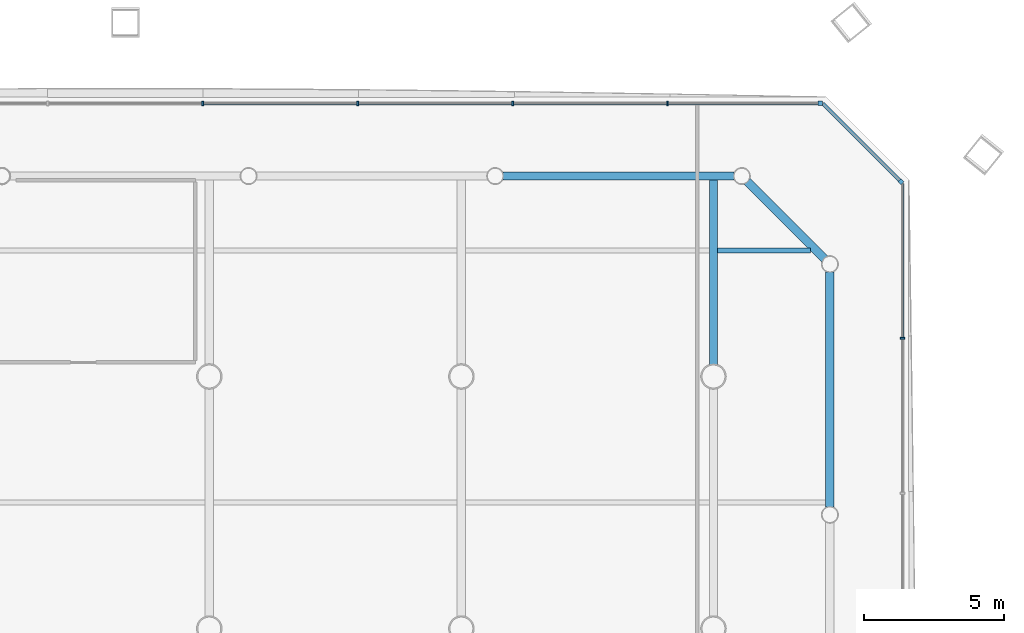
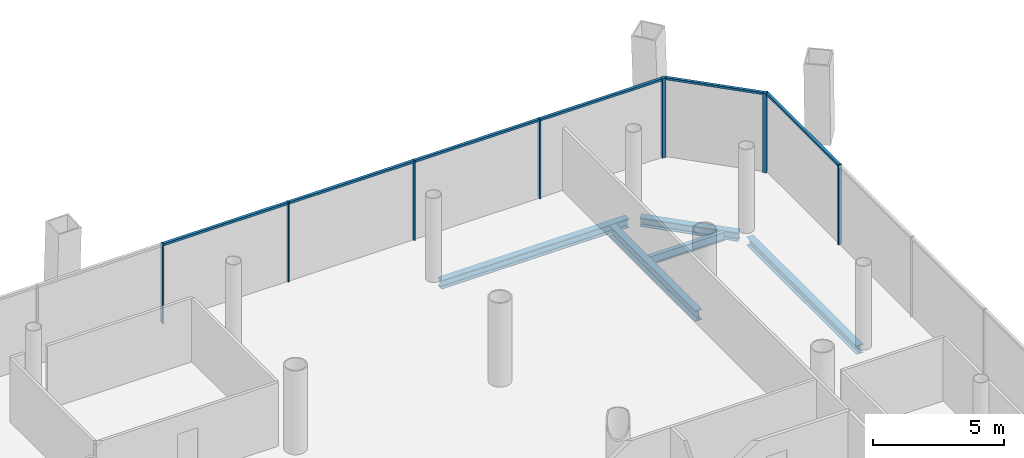
# One storey, part 13 of 23: 13 members, 5 beams, 3 elements without a shape of their own.
"""IFC4 building model written with IfcOpenShell, lengths in metres."""

from ifc_helpers import new_model, si_unit, direction, frame, origin, origin_2d, place, context, subcontext, project, spatial, rectangle, i_section, extrude, material, material_profile, profile_set, type_object, element, aggregate, save


model = new_model("IFC4")

# Units and contexts
model_context = context("Model", 3, precision=1e-05, world=origin(), true_north=direction((0.0, 1.0)))
body_context = subcontext(model_context, "Body", "Model", "MODEL_VIEW")
ifc_project = project(units=[si_unit("LENGTHUNIT", "METRE"), si_unit("AREAUNIT", "SQUARE_METRE"), si_unit("VOLUMEUNIT", "CUBIC_METRE"), si_unit("PLANEANGLEUNIT", "RADIAN"), si_unit("MASSUNIT", "GRAM", prefix="KILO")], contexts=[model_context])

# Site, building, storey
site_placement = place(None, origin())
site = spatial("IfcSite", under=ifc_project, at=site_placement, CompositionType="ELEMENT")
building_placement = place(site_placement, origin())
building = spatial("IfcBuilding", under=site, at=building_placement, Name="Tskaro Facet Tower", CompositionType="ELEMENT")
storey_placement = place(building_placement, frame((0.0, 0.0, 14.699951171875)))
storey = spatial("IfcBuildingStorey", under=building, at=storey_placement, Name="L02", CompositionType="ELEMENT", Elevation=14.699951171875)

# Curtain wall, member
ifc_material_1 = material(Name="Bronze anodised aluminium 6063-T6", Category="aluminium")
curtain_wall_type = type_object("IfcCurtainWallType", Name="Bronze office curtain wall (FW1)", PredefinedType="NOTDEFINED", material=ifc_material_1)
curtain_wall_1_placement = place(storey_placement, origin())
curtain_wall_1 = element("IfcCurtainWall", 1, at=curtain_wall_1_placement, inside=storey, type_object=curtain_wall_type, Name="FW1 north-east facet L02", PredefinedType="NOTDEFINED")
ifc_material_profile_1 = material_profile(ifc_material_1, rectangle(XDim=0.159912109375, YDim=0.159912109375, at=origin_2d()), Name="Corner post 160x160")
ifc_profile_set_1 = profile_set([ifc_material_profile_1], Name="Bronze anodised aluminium 6063-T6")
member_type_1 = type_object("IfcMemberType", Name="FW1 bronze corner post 160x160", PredefinedType="MULLION", material=ifc_profile_set_1)
member_1_placement = place(storey_placement, frame((24.693359375, 24.95263671875, 0.0), z_axis=(0.0, 0.0, 1.0), x_axis=(-0.707106781187, 0.707106781187, 0.0)))
member_1 = element("IfcMember", 2, at=member_1_placement, type_object=member_type_1, Name="FW1 north-east corner post", PredefinedType="MULLION", context=body_context, shape_type="SweptSolid", body=[
    extrude(rectangle(XDim=0.159912109375, YDim=0.159912109375, at=origin_2d()), origin(), (0.0, 0.0, 1.0), 3.699951171875),
])

curtain_wall_2_placement = place(storey_placement, origin())
curtain_wall_2 = element("IfcCurtainWall", 3, at=curtain_wall_2_placement, inside=storey, type_object=curtain_wall_type, Name="FW1 north facet L02", PredefinedType="NOTDEFINED")
member_2_placement = place(storey_placement, frame((21.81591796875, 27.75, 0.0), z_axis=(0.0, 0.0, 1.0), x_axis=(-1.0, 0.0, 0.0)))
member_2 = element("IfcMember", 4, at=member_2_placement, type_object=member_type_1, Name="FW1 north corner post", PredefinedType="MULLION", context=body_context, shape_type="SweptSolid", body=[
    extrude(rectangle(XDim=0.159912109375, YDim=0.159912109375, at=origin_2d()), origin(), (0.0, 0.0, 1.0), 3.699951171875),
])

curtain_wall_3_placement = place(storey_placement, origin())
curtain_wall_3 = element("IfcCurtainWall", 5, at=curtain_wall_3_placement, inside=storey, type_object=curtain_wall_type, Name="FW1 east facet L02", PredefinedType="NOTDEFINED")
ifc_material_profile_2 = material_profile(ifc_material_1, rectangle(XDim=0.06005859375, YDim=0.159912109375, at=origin_2d()), Name="Mullion 60x160")
ifc_profile_set_2 = profile_set([ifc_material_profile_2], Name="Bronze anodised aluminium 6063-T6")
member_type_2 = type_object("IfcMemberType", Name="FW1 bronze mullion 60x160", PredefinedType="MULLION", material=ifc_profile_set_2)
member_3_placement = place(storey_placement, frame((24.75, 19.363525390625, 0.0), z_axis=(0.0, 0.0, 1.0), x_axis=(0.0, 1.0, 0.0)))
member_3 = element("IfcMember", 6, at=member_3_placement, type_object=member_type_2, Name="FW1 east mullion 8", PredefinedType="MULLION", context=body_context, shape_type="SweptSolid", body=[
    extrude(rectangle(XDim=0.06005859375, YDim=0.159912109375, at=origin_2d()), origin(), (0.0, 0.0, 1.0), 3.699951171875),
])

# Member
member_4_placement = place(storey_placement, frame((16.363525390625, 27.75, 0.0), z_axis=(0.0, 0.0, 1.0), x_axis=(-1.0, 0.0, 0.0)))
member_4 = element("IfcMember", 7, at=member_4_placement, type_object=member_type_2, Name="FW1 north mullion 1", PredefinedType="MULLION", context=body_context, shape_type="SweptSolid", body=[
    extrude(rectangle(XDim=0.06005859375, YDim=0.159912109375, at=origin_2d()), origin(), (0.0, 0.0, 1.0), 3.699951171875),
])

member_5_placement = place(storey_placement, frame((10.8310546875, 27.75, 0.0), z_axis=(0.0, 0.0, 1.0), x_axis=(-1.0, 0.0, 0.0)))
member_5 = element("IfcMember", 8, at=member_5_placement, type_object=member_type_2, Name="FW1 north mullion 2", PredefinedType="MULLION", context=body_context, shape_type="SweptSolid", body=[
    extrude(rectangle(XDim=0.06005859375, YDim=0.159912109375, at=origin_2d()), origin(), (0.0, 0.0, 1.0), 3.699951171875),
])

member_6_placement = place(storey_placement, frame((5.298583984375, 27.75, 0.0), z_axis=(0.0, 0.0, 1.0), x_axis=(-1.0, 0.0, 0.0)))
member_6 = element("IfcMember", 9, at=member_6_placement, type_object=member_type_2, Name="FW1 north mullion 3", PredefinedType="MULLION", context=body_context, shape_type="SweptSolid", body=[
    extrude(rectangle(XDim=0.06005859375, YDim=0.159912109375, at=origin_2d()), origin(), (0.0, 0.0, 1.0), 3.699951171875),
])

member_7_placement = place(storey_placement, frame((-0.23388671875, 27.75, 0.0), z_axis=(0.0, 0.0, 1.0), x_axis=(-1.0, 0.0, 0.0)))
member_7 = element("IfcMember", 10, at=member_7_placement, type_object=member_type_2, Name="FW1 north mullion 4", PredefinedType="MULLION", context=body_context, shape_type="SweptSolid", body=[
    extrude(rectangle(XDim=0.06005859375, YDim=0.159912109375, at=origin_2d()), origin(), (0.0, 0.0, 1.0), 3.699951171875),
])

ifc_material_profile_3 = material_profile(ifc_material_1, rectangle(XDim=0.1201171875, YDim=0.10009765625, at=origin_2d()), Name="Transom 120x100")
ifc_profile_set_3 = profile_set([ifc_material_profile_3], Name="Bronze anodised aluminium 6063-T6")
member_type_3 = type_object("IfcMemberType", Name="FW1 bronze transom 120x100", PredefinedType="USERDEFINED", material=ifc_profile_set_3)
member_8_placement = place(storey_placement, frame((24.75, 19.3935546875, 3.650146484375), z_axis=(0.0, 1.0, 0.0), x_axis=(-1.0, 0.0, 0.0)))
member_8 = element("IfcMember", 11, at=member_8_placement, type_object=member_type_3, Name="FW1 east transom 9.1", ObjectType="TRANSOM", PredefinedType="USERDEFINED", context=body_context, shape_type="SweptSolid", body=[
    extrude(rectangle(XDim=0.1201171875, YDim=0.10009765625, at=origin_2d()), origin(), (0.0, 0.0, 1.0), 5.50244140625),
])

aggregate(curtain_wall_3, [member_3, member_8])

member_9_placement = place(storey_placement, frame((24.636962890625, 25.009033203125, 3.650146484375), z_axis=(-0.707106781187, 0.707106781187, 0.0), x_axis=(-0.707106781187, -0.707106781187, 0.0)))
member_9 = element("IfcMember", 12, at=member_9_placement, type_object=member_type_3, Name="FW1 north-east transom 1.1", ObjectType="TRANSOM", PredefinedType="USERDEFINED", context=body_context, shape_type="SweptSolid", body=[
    extrude(rectangle(XDim=0.1201171875, YDim=0.10009765625, at=origin_2d()), origin(), (0.0, 0.0, 1.0), 3.876220703125),
])

aggregate(curtain_wall_1, [member_1, member_9])

member_10_placement = place(storey_placement, frame((21.736083984375, 27.75, 3.650146484375), z_axis=(-1.0, 0.0, 0.0), x_axis=(0.0, -1.0, 0.0)))
member_10 = element("IfcMember", 13, at=member_10_placement, type_object=member_type_3, Name="FW1 north transom 1.1", ObjectType="TRANSOM", PredefinedType="USERDEFINED", context=body_context, shape_type="SweptSolid", body=[
    extrude(rectangle(XDim=0.1201171875, YDim=0.10009765625, at=origin_2d()), origin(), (0.0, 0.0, 1.0), 5.342529296875),
])

member_11_placement = place(storey_placement, frame((16.33349609375, 27.75, 3.650146484375), z_axis=(-1.0, 0.0, 0.0), x_axis=(0.0, -1.0, 0.0)))
member_11 = element("IfcMember", 14, at=member_11_placement, type_object=member_type_3, Name="FW1 north transom 2.1", ObjectType="TRANSOM", PredefinedType="USERDEFINED", context=body_context, shape_type="SweptSolid", body=[
    extrude(rectangle(XDim=0.1201171875, YDim=0.10009765625, at=origin_2d()), origin(), (0.0, 0.0, 1.0), 5.472412109375),
])

member_12_placement = place(storey_placement, frame((10.801025390625, 27.75, 3.650146484375), z_axis=(-1.0, 0.0, 0.0), x_axis=(0.0, -1.0, 0.0)))
member_12 = element("IfcMember", 15, at=member_12_placement, type_object=member_type_3, Name="FW1 north transom 3.1", ObjectType="TRANSOM", PredefinedType="USERDEFINED", context=body_context, shape_type="SweptSolid", body=[
    extrude(rectangle(XDim=0.1201171875, YDim=0.10009765625, at=origin_2d()), origin(), (0.0, 0.0, 1.0), 5.472412109375),
])

member_13_placement = place(storey_placement, frame((5.2685546875, 27.75, 3.650146484375), z_axis=(-1.0, 0.0, 0.0), x_axis=(0.0, -1.0, 0.0)))
member_13 = element("IfcMember", 16, at=member_13_placement, type_object=member_type_3, Name="FW1 north transom 4.1", ObjectType="TRANSOM", PredefinedType="USERDEFINED", context=body_context, shape_type="SweptSolid", body=[
    extrude(rectangle(XDim=0.1201171875, YDim=0.10009765625, at=origin_2d()), origin(), (0.0, 0.0, 1.0), 5.472412109375),
])

aggregate(curtain_wall_2, [member_2, member_4, member_5, member_6, member_7, member_10, member_11, member_12, member_13])

# Beams
ifc_material_2 = material(Name="Steel S355J2", Category="steel")
ifc_material_profile_4 = material_profile(ifc_material_2, i_section(OverallWidth=0.300048828125, OverallDepth=0.39990234375, WebThickness=0.013427734375, FlangeThickness=0.02392578125, FilletRadius=0.027099609375, at=origin_2d()), Name="HE 400 B")
ifc_profile_set_4 = profile_set([ifc_material_profile_4], Name="Steel S355J2")
beam_type_1 = type_object("IfcBeamType", Name="HE 400 B ring beam", PredefinedType="BEAM", material=ifc_profile_set_4)
beam_1_placement = place(storey_placement, frame((22.156982421875, 13.339111328125, -0.33984375), z_axis=(0.0, 1.0, 0.0), x_axis=(-1.0, 0.0, 0.0)))
element("IfcBeam", 17, at=beam_1_placement, inside=storey, type_object=beam_type_1, Name="HE 400 B EB12-1", PredefinedType="BEAM", context=body_context, shape_type="SweptSolid", body=[
    extrude(i_section(OverallWidth=0.300048828125, OverallDepth=0.39990234375, WebThickness=0.013427734375, FlangeThickness=0.02392578125, FilletRadius=0.027099609375, at=origin_2d()), origin(), (0.0, 0.0, 1.0), 8.39794921875),
])
beam_2_placement = place(storey_placement, frame((21.962646484375, 22.20654296875, -0.33984375), z_axis=(-0.707106781187, 0.707106781187, 0.0), x_axis=(-0.707106781187, -0.707106781187, 0.0)))
element("IfcBeam", 18, at=beam_2_placement, inside=storey, type_object=beam_type_1, Name="HE 400 B EB13-1", PredefinedType="BEAM", context=body_context, shape_type="SweptSolid", body=[
    extrude(i_section(OverallWidth=0.300048828125, OverallDepth=0.39990234375, WebThickness=0.013427734375, FlangeThickness=0.02392578125, FilletRadius=0.027099609375, at=origin_2d()), origin(), (0.0, 0.0, 1.0), 3.897705078125),
])
beam_3_placement = place(storey_placement, frame((18.737060546875, 25.156982421875, -0.33984375), z_axis=(-1.0, 0.0, 0.0), x_axis=(0.0, -1.0, 0.0)))
element("IfcBeam", 19, at=beam_3_placement, inside=storey, type_object=beam_type_1, Name="HE 400 B EB14-1", PredefinedType="BEAM", context=body_context, shape_type="SweptSolid", body=[
    extrude(i_section(OverallWidth=0.300048828125, OverallDepth=0.39990234375, WebThickness=0.013427734375, FlangeThickness=0.02392578125, FilletRadius=0.027099609375, at=origin_2d()), origin(), (0.0, 0.0, 1.0), 8.255126953125),
])
ifc_material_profile_5 = material_profile(ifc_material_2, i_section(OverallWidth=0.300048828125, OverallDepth=0.489990234375, WebThickness=0.011962890625, FlangeThickness=0.02294921875, FilletRadius=0.027099609375, at=origin_2d()), Name="HE 500 A")
ifc_profile_set_5 = profile_set([ifc_material_profile_5], Name="Steel S355J2")
beam_type_2 = type_object("IfcBeamType", Name="HE 500 A girder", PredefinedType="BEAM", material=ifc_profile_set_5)
beam_4_placement = place(storey_placement, frame((18.0, 18.42724609375, -0.385009765625), z_axis=(0.0, 1.0, 0.0), x_axis=(-1.0, 0.0, 0.0)))
element("IfcBeam", 20, at=beam_4_placement, inside=storey, type_object=beam_type_2, Name="HE 500 A GB6-6-1", PredefinedType="BEAM", context=body_context, shape_type="SweptSolid", body=[
    extrude(i_section(OverallWidth=0.300048828125, OverallDepth=0.489990234375, WebThickness=0.011962890625, FlangeThickness=0.02294921875, FilletRadius=0.027099609375, at=origin_2d()), origin(), (0.0, 0.0, 1.0), 6.579833984375),
])
ifc_material_profile_6 = material_profile(ifc_material_2, i_section(OverallWidth=0.179931640625, OverallDepth=0.39990234375, WebThickness=0.008544921875, FlangeThickness=0.013427734375, FilletRadius=0.02099609375, at=origin_2d()), Name="IPE 400")
ifc_profile_set_6 = profile_set([ifc_material_profile_6], Name="Steel S355J2")
beam_type_3 = type_object("IfcBeamType", Name="IPE 400 secondary beam", PredefinedType="BEAM", material=ifc_profile_set_6)
beam_5_placement = place(storey_placement, frame((18.14990234375, 22.5, -0.33984375), z_axis=(1.0, 0.0, 0.0), x_axis=(0.0, 1.0, 0.0)))
element("IfcBeam", 21, at=beam_5_placement, inside=storey, type_object=beam_type_3, Name="IPE 400 SB6a-6-1", PredefinedType="BEAM", context=body_context, shape_type="SweptSolid", body=[
    extrude(i_section(OverallWidth=0.179931640625, OverallDepth=0.39990234375, WebThickness=0.008544921875, FlangeThickness=0.013427734375, FilletRadius=0.02099609375, at=origin_2d()), origin(), (0.0, 0.0, 1.0), 3.30712890625),
])

save(model, "model.ifc")
